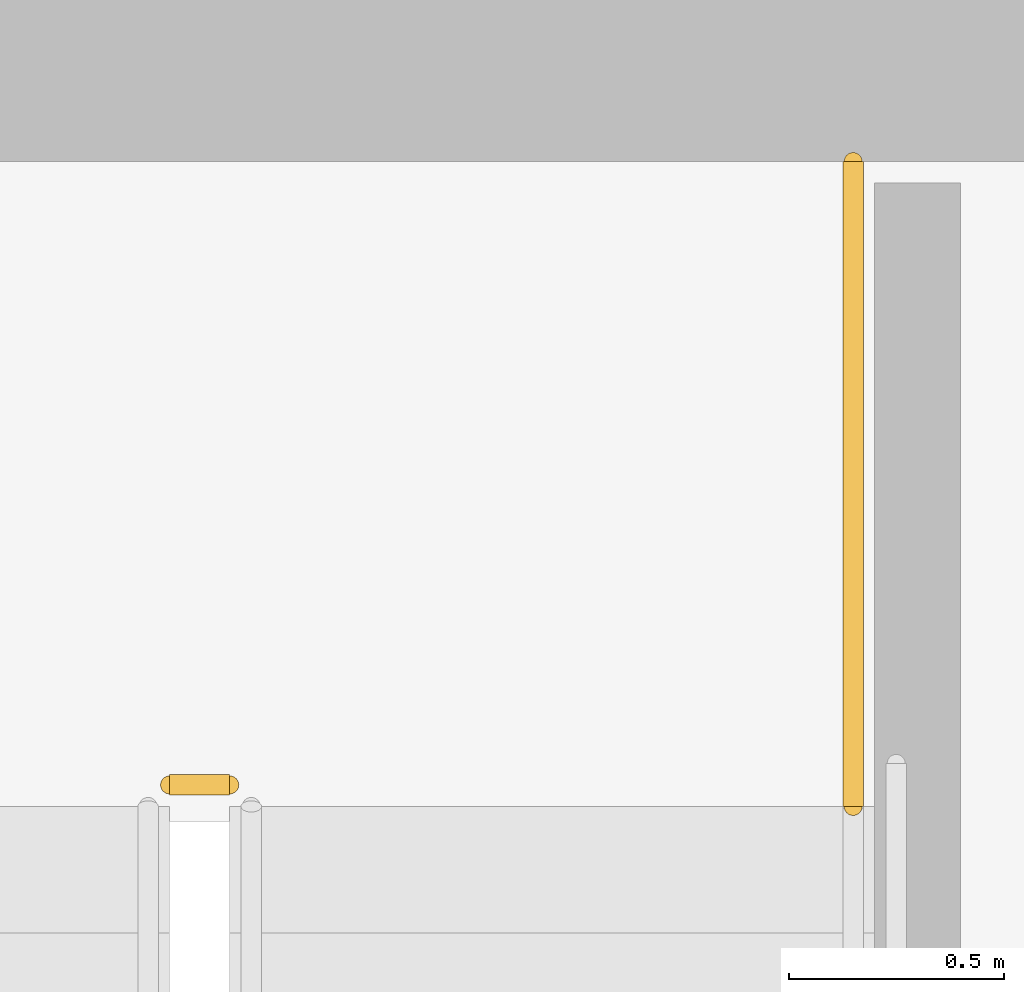
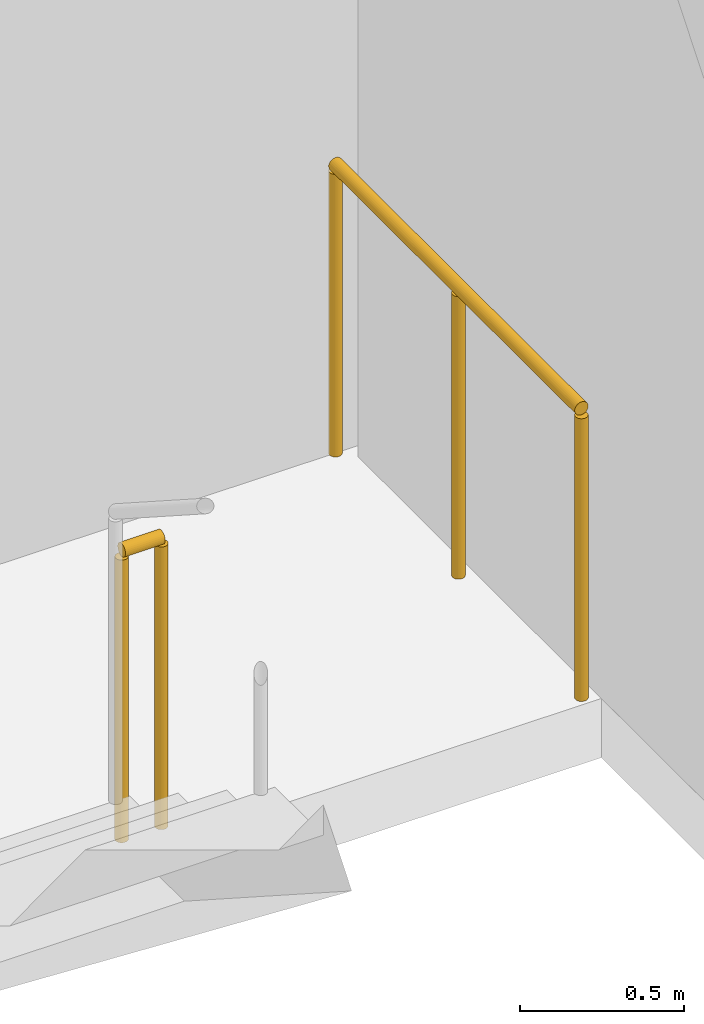
# One storey, part 32 of 32: 2 railings.
"""IFC4 building model written with IfcOpenShell, lengths in metres."""

from ifc_helpers import new_model, si_unit, direction, frame, origin, origin_2d, place, context, subcontext, project, spatial, circle, extrude, material, layer, layer_set, type_object, element, save


model = new_model("IFC4")

# Units and contexts
model_context = context("Model", 3, precision=1e-05, world=origin(), true_north=direction((0.0, 1.0)))
body_context = subcontext(model_context, "Body", "Model", "MODEL_VIEW")
ifc_project = project(units=[si_unit("LENGTHUNIT", "METRE"), si_unit("AREAUNIT", "SQUARE_METRE"), si_unit("VOLUMEUNIT", "CUBIC_METRE"), si_unit("PLANEANGLEUNIT", "RADIAN"), si_unit("MASSUNIT", "GRAM", prefix="KILO")], contexts=[model_context])

# Site, building, storey
site_placement = place(None, origin())
site = spatial("IfcSite", under=ifc_project, at=site_placement, CompositionType="ELEMENT")
building_placement = place(site_placement, origin())
building = spatial("IfcBuilding", under=site, at=building_placement, Name="Ndaravel Arena Tower", CompositionType="ELEMENT")
storey_placement = place(building_placement, frame((0.0, 0.0, 47.39990234375)))
storey = spatial("IfcBuildingStorey", under=building, at=storey_placement, Name="L09", CompositionType="ELEMENT", Elevation=47.39990234375)

# Railings
ifc_material = material(Name="Steel S355", Category="steel")
ifc_layer = layer(ifc_material, 0.06005859375)
ifc_layer_set = layer_set([ifc_layer], Name="Steel S355")
railing_type = type_object("IfcRailingType", Name="RAIL-STAIR-GD1100", PredefinedType="GUARDRAIL", material=ifc_layer_set)
railing_1_placement = place(storey_placement, frame((55.10009765625, 13.300048828125, 0.0)))
element("IfcRailing", 1, at=railing_1_placement, inside=storey, type_object=railing_type, Name="L09 ST-3 stair guard 4", PredefinedType="GUARDRAIL", context=body_context, shape_type="SweptSolid", body=[
    extrude(circle(Radius=0.02392578125, at=origin_2d()), frame((0.0, 0.0, 1.076171875), z_axis=(1.0, 0.0, 0.0), x_axis=(0.0, 1.0, 0.0)), (0.0, 0.0, 1.0), 0.139892578125),
    extrude(circle(Radius=0.02099609375, at=origin_2d()), origin(), (0.0, 0.0, 1.0), 1.052001953125),
    extrude(circle(Radius=0.02099609375, at=origin_2d()), frame((0.139892578125, 0.0, 0.0)), (0.0, 0.0, 1.0), 1.052001953125),
])
railing_2_placement = place(storey_placement, frame((56.68994140625, 14.75, 0.0)))
element("IfcRailing", 2, at=railing_2_placement, inside=storey, type_object=railing_type, Name="L09 ST-3 stair guard 5", PredefinedType="GUARDRAIL", context=body_context, shape_type="SweptSolid", body=[
    extrude(circle(Radius=0.02392578125, at=origin_2d()), frame((0.0, 0.0, 1.076171875), z_axis=(0.0, -1.0, 0.0), x_axis=(1.0, 0.0, 0.0)), (0.0, 0.0, 1.0), 1.5),
    extrude(circle(Radius=0.02099609375, at=origin_2d()), origin(), (0.0, 0.0, 1.0), 1.052001953125),
    extrude(circle(Radius=0.02099609375, at=origin_2d()), frame((0.0, -0.75, 0.0)), (0.0, 0.0, 1.0), 1.052001953125),
    extrude(circle(Radius=0.02099609375, at=origin_2d()), frame((0.0, -1.5, 0.0)), (0.0, 0.0, 1.0), 1.052001953125),
])

save(model, "model.ifc")
